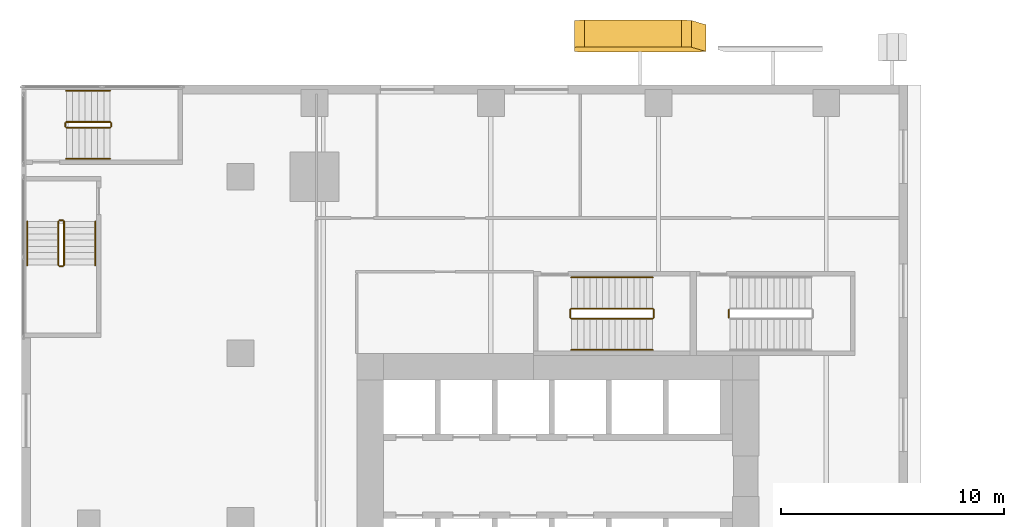
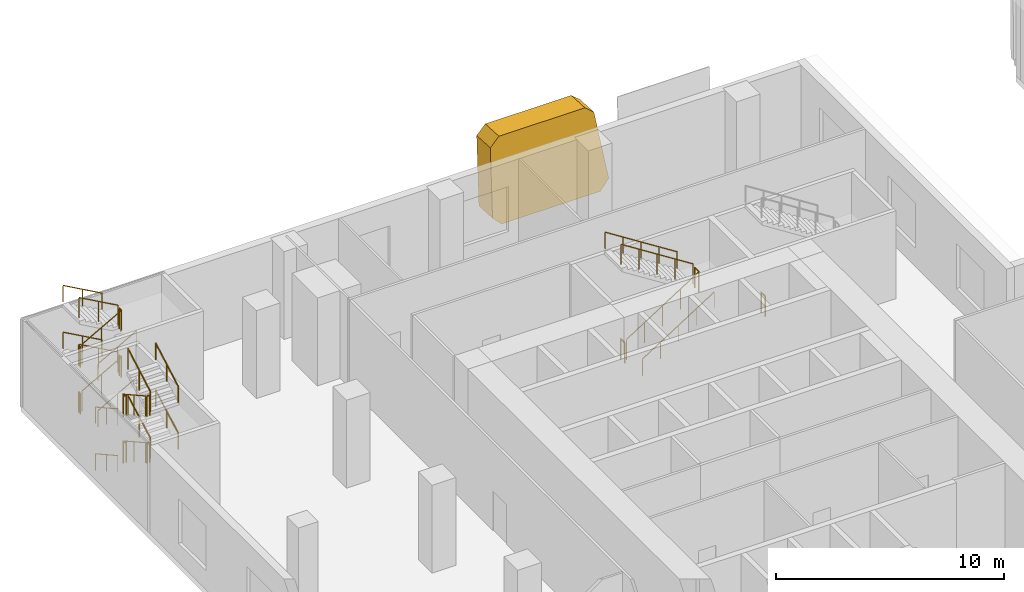
# One storey, part 19 of 23: 31 railings, 1 covering.
"""IFC4 building model written with IfcOpenShell, lengths in metres."""

from ifc_helpers import new_model, si_unit, direction, frame, origin, origin_2d, place, context, subcontext, project, spatial, polyline, circle, outline, extrude, source, transform, mapped, material, layer, layer_set, type_object, element, save


model = new_model("IFC4")

# Units and contexts
model_context = context("Model", 3, precision=1e-05, world=origin(), true_north=direction((0.0, 1.0)))
body_context = subcontext(model_context, "Body", "Model", "MODEL_VIEW")
ifc_project = project(units=[si_unit("LENGTHUNIT", "METRE"), si_unit("AREAUNIT", "SQUARE_METRE"), si_unit("VOLUMEUNIT", "CUBIC_METRE"), si_unit("PLANEANGLEUNIT", "RADIAN"), si_unit("MASSUNIT", "GRAM", prefix="KILO")], contexts=[model_context])

# Site, building, storey
site_placement = place(None, origin())
site = spatial("IfcSite", under=ifc_project, at=site_placement, CompositionType="ELEMENT")
building_placement = place(site_placement, origin())
building = spatial("IfcBuilding", under=site, at=building_placement, Name="Khomas Fold Tower", CompositionType="ELEMENT")
storey_placement = place(building_placement, frame((0.0, 0.0, 18.5)))
storey = spatial("IfcBuildingStorey", under=building, at=storey_placement, Name="L03", CompositionType="ELEMENT", Elevation=18.5)

# Covering
ifc_material_1 = material(Name="Natural stone cladding", Category="masonry")
ifc_layer = layer(ifc_material_1, 1.199951171875)
ifc_layer_set = layer_set([ifc_layer], Name="Natural stone cladding")
covering_type = type_object("IfcCoveringType", Name="SK-Karibib marble stone panel", PredefinedType="CLADDING", material=ifc_layer_set)
covering_placement = place(storey_placement, frame((15.72998046875, 55.5, 0.449951171875), z_axis=(8.223621e-06, -0.998631248992, 0.052303235751), x_axis=(5.17e-10, 0.052303235753, 0.998631249025)))
element("IfcCovering", 1, at=covering_placement, inside=storey, type_object=covering_type, Name="OUTER SKIN leaf L03 NS05-1", PredefinedType="CLADDING", context=body_context, shape_type="SweptSolid", body=[
    extrude(outline(polyline([(0.0, 0.0), (3.655161509034944, -2.117582368135751e-22), (4.105722667125442, -0.4499511705702566), (4.105722669373801, -4.798828123548203), (3.7333966569344406, -5.241943359638544), (0.07847895469037793, -5.8872070313865885), (-0.45056115504329364, -5.444091797980443), (-0.4505611576252515, -0.44995117314931427), (0.0, 0.0)])), origin(), (0.0, 0.0, -1.0), 1.199951171875),
])

# Railings
ifc_material_2 = material(Name="Steel balustrade", Category="steel")
railing_type_1 = type_object("IfcRailingType", Name="Stair guard", PredefinedType="GUARDRAIL", material=ifc_material_2)
shared_shape_1 = source(origin(), body_context, "Body", "SweptSolid", [
    extrude(circle(Radius=0.02392578125, at=origin_2d()), frame((0.0, 0.0, 1.076171875), z_axis=(0.0, 1.0, 0.0), x_axis=(-1.0, 0.0, 0.0)), (0.0, 0.0, 1.0), 0.349853515625),
    extrude(circle(Radius=0.02099609375, at=origin_2d()), origin(), (0.0, 0.0, 1.0), 1.052001953125),
    extrude(circle(Radius=0.02099609375, at=origin_2d()), frame((0.0, 0.349853515625, 0.0)), (0.0, 0.0, 1.0), 1.052001953125),
])
for number, where, name in (
    (2, (19.2900390625, 43.60009765625, 2.5), "L03 ST1 stair guard 2"),
    (3, (15.550048828125, 43.60009765625, 0.0), "L03 ST1 stair guard 4"),
    (4, (22.64990234375, 43.60009765625, 0.0), "L03 ST3 stair guard 4"),
):
    element("IfcRailing", number, at=place(storey_placement, frame(where)), inside=storey, type_object=railing_type_1, Name=name, PredefinedType="GUARDRAIL", context=body_context, shape_type="MappedRepresentation", body=[
        mapped(shared_shape_1, transform((0.0, 0.0, 0.0))),
    ])
shared_shape_2 = source(origin(), body_context, "Body", "SweptSolid", [
    extrude(circle(Radius=0.02392578125, at=origin_2d()), frame((0.0, 0.0, 1.076171875), z_axis=(0.843111507901, 0.0, 0.53773877045), x_axis=(0.0, 1.0, 0.0)), (0.0, 0.0, 1.0), 4.317138671875),
    extrude(circle(Radius=0.02099609375, at=origin_2d()), origin(), (0.0, 0.0, 1.0), 1.052001953125),
    extrude(circle(Radius=0.02099609375, at=origin_2d()), frame((0.909912109375, 0.0, 0.580322265625)), (0.0, 0.0, 1.0), 1.052001953125),
    extrude(circle(Radius=0.02099609375, at=origin_2d()), frame((1.81982421875, 0.0, 1.16064453125)), (0.0, 0.0, 1.0), 1.052001953125),
    extrude(circle(Radius=0.02099609375, at=origin_2d()), frame((2.72998046875, 0.0, 1.7412109375)), (0.0, 0.0, 1.0), 1.052001953125),
    extrude(circle(Radius=0.02099609375, at=origin_2d()), frame((3.639892578125, 0.0, 2.321533203125)), (0.0, 0.0, 1.0), 1.052001953125),
])
railing_1_placement = place(storey_placement, frame((15.60009765625, 43.550048828125, 0.178466796875)))
element("IfcRailing", 5, at=railing_1_placement, inside=storey, type_object=railing_type_1, Name="L03 ST1 stair guard 1", PredefinedType="GUARDRAIL", context=body_context, shape_type="MappedRepresentation", body=[
    mapped(shared_shape_2, transform((0.0, 0.0, 0.0))),
])
shared_shape_3 = source(origin(), body_context, "Body", "SweptSolid", [
    extrude(circle(Radius=0.02392578125, at=origin_2d()), frame((0.0, 0.0, 1.076171875), z_axis=(-0.843111507901, 0.0, 0.53773877045), x_axis=(0.0, -1.0, 0.0)), (0.0, 0.0, 1.0), 4.317138671875),
    extrude(circle(Radius=0.02099609375, at=origin_2d()), origin(), (0.0, 0.0, 1.0), 1.052001953125),
    extrude(circle(Radius=0.02099609375, at=origin_2d()), frame((-0.909912109375, 0.0, 0.580322265625)), (0.0, 0.0, 1.0), 1.052001953125),
    extrude(circle(Radius=0.02099609375, at=origin_2d()), frame((-1.81982421875, 0.0, 1.16064453125)), (0.0, 0.0, 1.0), 1.052001953125),
    extrude(circle(Radius=0.02099609375, at=origin_2d()), frame((-2.72998046875, 0.0, 1.7412109375)), (0.0, 0.0, 1.0), 1.052001953125),
    extrude(circle(Radius=0.02099609375, at=origin_2d()), frame((-3.639892578125, 0.0, 2.321533203125)), (0.0, 0.0, 1.0), 1.052001953125),
])
railing_2_placement = place(storey_placement, frame((19.239990234375, 44.0, 2.678466796875)))
element("IfcRailing", 6, at=railing_2_placement, inside=storey, type_object=railing_type_1, Name="L03 ST1 stair guard 3", PredefinedType="GUARDRAIL", context=body_context, shape_type="MappedRepresentation", body=[
    mapped(shared_shape_3, transform((0.0, 0.0, 0.0))),
])
ifc_material_3 = material(Name="Steel handrail", Category="steel")
railing_type_2 = type_object("IfcRailingType", Name="Stair handrail", PredefinedType="HANDRAIL", material=ifc_material_3)
shared_shape_4 = source(origin(), body_context, "Body", "SweptSolid", [
    extrude(circle(Radius=0.02392578125, at=origin_2d()), frame((0.0, 0.0, 0.8759765625), z_axis=(0.843111507901, 0.0, 0.53773877045), x_axis=(0.0, 1.0, 0.0)), (0.0, 0.0, 1.0), 4.317138671875),
    extrude(circle(Radius=0.02099609375, at=origin_2d()), origin(), (0.0, 0.0, 1.0), 0.851806640625),
    extrude(circle(Radius=0.02099609375, at=origin_2d()), frame((0.909912109375, 0.0, 0.580322265625)), (0.0, 0.0, 1.0), 0.851806640625),
    extrude(circle(Radius=0.02099609375, at=origin_2d()), frame((1.81982421875, 0.0, 1.16064453125)), (0.0, 0.0, 1.0), 0.851806640625),
    extrude(circle(Radius=0.02099609375, at=origin_2d()), frame((2.72998046875, 0.0, 1.7412109375)), (0.0, 0.0, 1.0), 0.851806640625),
    extrude(circle(Radius=0.02099609375, at=origin_2d()), frame((3.639892578125, 0.0, 2.321533203125)), (0.0, 0.0, 1.0), 0.851806640625),
])
railing_3_placement = place(storey_placement, frame((15.60009765625, 42.14990234375, 0.178466796875)))
element("IfcRailing", 7, at=railing_3_placement, inside=storey, type_object=railing_type_2, Name="L03 ST1 stair handrail 1", PredefinedType="HANDRAIL", context=body_context, shape_type="MappedRepresentation", body=[
    mapped(shared_shape_4, transform((0.0, 0.0, 0.0))),
])
shared_shape_5 = source(origin(), body_context, "Body", "SweptSolid", [
    extrude(circle(Radius=0.02392578125, at=origin_2d()), frame((0.0, 0.0, 0.8759765625), z_axis=(-0.843111507901, 0.0, 0.53773877045), x_axis=(0.0, -1.0, 0.0)), (0.0, 0.0, 1.0), 4.317138671875),
    extrude(circle(Radius=0.02099609375, at=origin_2d()), origin(), (0.0, 0.0, 1.0), 0.851806640625),
    extrude(circle(Radius=0.02099609375, at=origin_2d()), frame((-0.909912109375, 0.0, 0.580322265625)), (0.0, 0.0, 1.0), 0.851806640625),
    extrude(circle(Radius=0.02099609375, at=origin_2d()), frame((-1.81982421875, 0.0, 1.16064453125)), (0.0, 0.0, 1.0), 0.851806640625),
    extrude(circle(Radius=0.02099609375, at=origin_2d()), frame((-2.72998046875, 0.0, 1.7412109375)), (0.0, 0.0, 1.0), 0.851806640625),
    extrude(circle(Radius=0.02099609375, at=origin_2d()), frame((-3.639892578125, 0.0, 2.321533203125)), (0.0, 0.0, 1.0), 0.851806640625),
])
railing_4_placement = place(storey_placement, frame((19.239990234375, 45.39990234375, 2.678466796875)))
element("IfcRailing", 8, at=railing_4_placement, inside=storey, type_object=railing_type_2, Name="L03 ST1 stair handrail 2", PredefinedType="HANDRAIL", context=body_context, shape_type="MappedRepresentation", body=[
    mapped(shared_shape_5, transform((0.0, 0.0, 0.0))),
])
shared_shape_6 = source(origin(), body_context, "Body", "SweptSolid", [
    extrude(circle(Radius=0.02392578125, at=origin_2d()), frame((0.0, 0.0, 1.076171875), z_axis=(0.0, 1.0, 0.0), x_axis=(-1.0, 0.0, 0.0)), (0.0, 0.0, 1.0), 0.150146484375),
    extrude(circle(Radius=0.02099609375, at=origin_2d()), origin(), (0.0, 0.0, 1.0), 1.052001953125),
    extrude(circle(Radius=0.02099609375, at=origin_2d()), frame((0.0, 0.150146484375, 0.0)), (0.0, 0.0, 1.0), 1.052001953125),
])
for number, where, name in (
    (9, (-4.989990234375, 52.14990234375, 1.25), "L03 PS7 stair guard 2"),
    (10, (-7.050048828125, 52.14990234375, 2.5), "L03 PS7 stair guard 4"),
    (11, (-4.989990234375, 52.14990234375, 3.75), "L03 PS7 stair guard 6"),
    (12, (-7.050048828125, 52.14990234375, 0.0), "L03 PS7 stair guard 8"),
):
    element("IfcRailing", number, at=place(storey_placement, frame(where)), inside=storey, type_object=railing_type_1, Name=name, PredefinedType="GUARDRAIL", context=body_context, shape_type="MappedRepresentation", body=[
        mapped(shared_shape_6, transform((0.0, 0.0, 0.0))),
    ])
shared_shape_7 = source(origin(), body_context, "Body", "SweptSolid", [
    extrude(circle(Radius=0.02392578125, at=origin_2d()), frame((0.0, 0.0, 1.076171875), z_axis=(0.873232148454, 0.0, 0.487304437602), x_axis=(0.0, 1.0, 0.0)), (0.0, 0.0, 1.0), 2.244384765625),
    extrude(circle(Radius=0.02099609375, at=origin_2d()), origin(), (0.0, 0.0, 1.0), 1.052001953125),
    extrude(circle(Radius=0.02099609375, at=origin_2d()), frame((0.97998046875, 0.0, 0.546875)), (0.0, 0.0, 1.0), 1.052001953125),
    extrude(circle(Radius=0.02099609375, at=origin_2d()), frame((1.9599609375, 0.0, 1.09375)), (0.0, 0.0, 1.0), 1.052001953125),
])
for number, where, name in (
    (13, (-7.0, 52.10009765625, 0.15625), "L03 PS7 stair guard 1"),
    (14, (-7.0, 52.10009765625, 2.65625), "L03 PS7 stair guard 5"),
):
    element("IfcRailing", number, at=place(storey_placement, frame(where)), inside=storey, type_object=railing_type_1, Name=name, PredefinedType="GUARDRAIL", context=body_context, shape_type="MappedRepresentation", body=[
        mapped(shared_shape_7, transform((0.0, 0.0, 0.0))),
    ])
shared_shape_8 = source(origin(), body_context, "Body", "SweptSolid", [
    extrude(circle(Radius=0.02392578125, at=origin_2d()), frame((0.0, 0.0, 1.076171875), z_axis=(-0.873232148454, 0.0, 0.487304437602), x_axis=(0.0, -1.0, 0.0)), (0.0, 0.0, 1.0), 2.244384765625),
    extrude(circle(Radius=0.02099609375, at=origin_2d()), origin(), (0.0, 0.0, 1.0), 1.052001953125),
    extrude(circle(Radius=0.02099609375, at=origin_2d()), frame((-0.97998046875, 0.0, 0.546875)), (0.0, 0.0, 1.0), 1.052001953125),
    extrude(circle(Radius=0.02099609375, at=origin_2d()), frame((-1.9599609375, 0.0, 1.09375)), (0.0, 0.0, 1.0), 1.052001953125),
])
for number, where, name in (
    (15, (-5.0400390625, 52.35009765625, 1.40625), "L03 PS7 stair guard 3"),
    (16, (-5.0400390625, 52.35009765625, 3.90625), "L03 PS7 stair guard 7"),
):
    element("IfcRailing", number, at=place(storey_placement, frame(where)), inside=storey, type_object=railing_type_1, Name=name, PredefinedType="GUARDRAIL", context=body_context, shape_type="MappedRepresentation", body=[
        mapped(shared_shape_8, transform((0.0, 0.0, 0.0))),
    ])
shared_shape_9 = source(origin(), body_context, "Body", "SweptSolid", [
    extrude(circle(Radius=0.02392578125, at=origin_2d()), frame((0.0, 0.0, 0.8759765625), z_axis=(0.873232148454, 0.0, 0.487304437602), x_axis=(0.0, 1.0, 0.0)), (0.0, 0.0, 1.0), 2.244384765625),
    extrude(circle(Radius=0.02099609375, at=origin_2d()), origin(), (0.0, 0.0, 1.0), 0.851806640625),
    extrude(circle(Radius=0.02099609375, at=origin_2d()), frame((0.97998046875, 0.0, 0.546875)), (0.0, 0.0, 1.0), 0.851806640625),
    extrude(circle(Radius=0.02099609375, at=origin_2d()), frame((1.9599609375, 0.0, 1.09375)), (0.0, 0.0, 1.0), 0.851806640625),
])
for number, where, name in (
    (17, (-7.0, 50.699951171875, 0.15625), "L03 PS7 stair handrail 1"),
    (18, (-7.0, 50.699951171875, 2.65625), "L03 PS7 stair handrail 3"),
):
    element("IfcRailing", number, at=place(storey_placement, frame(where)), inside=storey, type_object=railing_type_2, Name=name, PredefinedType="HANDRAIL", context=body_context, shape_type="MappedRepresentation", body=[
        mapped(shared_shape_9, transform((0.0, 0.0, 0.0))),
    ])
shared_shape_10 = source(origin(), body_context, "Body", "SweptSolid", [
    extrude(circle(Radius=0.02392578125, at=origin_2d()), frame((0.0, 0.0, 0.8759765625), z_axis=(-0.873232148454, 0.0, 0.487304437602), x_axis=(0.0, -1.0, 0.0)), (0.0, 0.0, 1.0), 2.244384765625),
    extrude(circle(Radius=0.02099609375, at=origin_2d()), origin(), (0.0, 0.0, 1.0), 0.851806640625),
    extrude(circle(Radius=0.02099609375, at=origin_2d()), frame((-0.97998046875, 0.0, 0.546875)), (0.0, 0.0, 1.0), 0.851806640625),
    extrude(circle(Radius=0.02099609375, at=origin_2d()), frame((-1.9599609375, 0.0, 1.09375)), (0.0, 0.0, 1.0), 0.851806640625),
])
for number, where, name in (
    (19, (-5.0400390625, 53.75, 1.40625), "L03 PS7 stair handrail 2"),
    (20, (-5.0400390625, 53.75, 3.90625), "L03 PS7 stair handrail 4"),
):
    element("IfcRailing", number, at=place(storey_placement, frame(where)), inside=storey, type_object=railing_type_2, Name=name, PredefinedType="HANDRAIL", context=body_context, shape_type="MappedRepresentation", body=[
        mapped(shared_shape_10, transform((0.0, 0.0, 0.0))),
    ])
shared_shape_11 = source(origin(), body_context, "Body", "SweptSolid", [
    extrude(circle(Radius=0.02392578125, at=origin_2d()), frame((0.0, 0.0, 1.076171875), z_axis=(0.0, 0.873232148454, 0.487304437602), x_axis=(-1.0, 0.0, 0.0)), (0.0, 0.0, 1.0), 2.244384765625),
    extrude(circle(Radius=0.02099609375, at=origin_2d()), origin(), (0.0, 0.0, 1.0), 1.052001953125),
    extrude(circle(Radius=0.02099609375, at=origin_2d()), frame((0.0, 0.97998046875, 0.546875)), (0.0, 0.0, 1.0), 1.052001953125),
    extrude(circle(Radius=0.02099609375, at=origin_2d()), frame((0.0, 1.9599609375, 1.09375)), (0.0, 0.0, 1.0), 1.052001953125),
])
for number, where, name in (
    (21, (-7.10009765625, 45.93994140625, 1.40625), "L03 PS8 stair guard 3"),
    (22, (-7.10009765625, 45.93994140625, 3.90625), "L03 PS8 stair guard 7"),
):
    element("IfcRailing", number, at=place(storey_placement, frame(where)), inside=storey, type_object=railing_type_1, Name=name, PredefinedType="GUARDRAIL", context=body_context, shape_type="MappedRepresentation", body=[
        mapped(shared_shape_11, transform((0.0, 0.0, 0.0))),
    ])
shared_shape_12 = source(origin(), body_context, "Body", "SweptSolid", [
    extrude(circle(Radius=0.02392578125, at=origin_2d()), frame((0.0, 0.0, 1.076171875), z_axis=(0.0, -0.873232148454, 0.487304437602), x_axis=(1.0, 0.0, 0.0)), (0.0, 0.0, 1.0), 2.244384765625),
    extrude(circle(Radius=0.02099609375, at=origin_2d()), origin(), (0.0, 0.0, 1.0), 1.052001953125),
    extrude(circle(Radius=0.02099609375, at=origin_2d()), frame((0.0, -0.97998046875, 0.546875)), (0.0, 0.0, 1.0), 1.052001953125),
    extrude(circle(Radius=0.02099609375, at=origin_2d()), frame((0.0, -1.9599609375, 1.09375)), (0.0, 0.0, 1.0), 1.052001953125),
])
for number, where, name in (
    (23, (-7.35009765625, 47.89990234375, 0.15625), "L03 PS8 stair guard 1"),
    (24, (-7.35009765625, 47.89990234375, 2.65625), "L03 PS8 stair guard 5"),
):
    element("IfcRailing", number, at=place(storey_placement, frame(where)), inside=storey, type_object=railing_type_1, Name=name, PredefinedType="GUARDRAIL", context=body_context, shape_type="MappedRepresentation", body=[
        mapped(shared_shape_12, transform((0.0, 0.0, 0.0))),
    ])
shared_shape_13 = source(origin(), body_context, "Body", "SweptSolid", [
    extrude(circle(Radius=0.02392578125, at=origin_2d()), frame((0.0, 0.0, 0.8759765625), z_axis=(0.0, 0.873232148454, 0.487304437602), x_axis=(-1.0, 0.0, 0.0)), (0.0, 0.0, 1.0), 2.244384765625),
    extrude(circle(Radius=0.02099609375, at=origin_2d()), origin(), (0.0, 0.0, 1.0), 0.851806640625),
    extrude(circle(Radius=0.02099609375, at=origin_2d()), frame((0.0, 0.97998046875, 0.546875)), (0.0, 0.0, 1.0), 0.851806640625),
    extrude(circle(Radius=0.02099609375, at=origin_2d()), frame((0.0, 1.9599609375, 1.09375)), (0.0, 0.0, 1.0), 0.851806640625),
])
for number, where, name in (
    (25, (-5.699951171875, 45.93994140625, 1.40625), "L03 PS8 stair handrail 2"),
    (26, (-5.699951171875, 45.93994140625, 3.90625), "L03 PS8 stair handrail 4"),
):
    element("IfcRailing", number, at=place(storey_placement, frame(where)), inside=storey, type_object=railing_type_2, Name=name, PredefinedType="HANDRAIL", context=body_context, shape_type="MappedRepresentation", body=[
        mapped(shared_shape_13, transform((0.0, 0.0, 0.0))),
    ])
shared_shape_14 = source(origin(), body_context, "Body", "SweptSolid", [
    extrude(circle(Radius=0.02392578125, at=origin_2d()), frame((0.0, 0.0, 0.8759765625), z_axis=(0.0, -0.873232148454, 0.487304437602), x_axis=(1.0, 0.0, 0.0)), (0.0, 0.0, 1.0), 2.244384765625),
    extrude(circle(Radius=0.02099609375, at=origin_2d()), origin(), (0.0, 0.0, 1.0), 0.851806640625),
    extrude(circle(Radius=0.02099609375, at=origin_2d()), frame((0.0, -0.97998046875, 0.546875)), (0.0, 0.0, 1.0), 0.851806640625),
    extrude(circle(Radius=0.02099609375, at=origin_2d()), frame((0.0, -1.9599609375, 1.09375)), (0.0, 0.0, 1.0), 0.851806640625),
])
for number, where, name in (
    (27, (-8.75, 47.89990234375, 0.15625), "L03 PS8 stair handrail 1"),
    (28, (-8.75, 47.89990234375, 2.65625), "L03 PS8 stair handrail 3"),
):
    element("IfcRailing", number, at=place(storey_placement, frame(where)), inside=storey, type_object=railing_type_2, Name=name, PredefinedType="HANDRAIL", context=body_context, shape_type="MappedRepresentation", body=[
        mapped(shared_shape_14, transform((0.0, 0.0, 0.0))),
    ])
shared_shape_15 = source(origin(), body_context, "Body", "SweptSolid", [
    extrude(circle(Radius=0.02392578125, at=origin_2d()), frame((0.0, 0.0, 1.076171875), z_axis=(1.0, 0.0, 0.0), x_axis=(0.0, 1.0, 0.0)), (0.0, 0.0, 1.0), 0.150146484375),
    extrude(circle(Radius=0.02099609375, at=origin_2d()), origin(), (0.0, 0.0, 1.0), 1.052001953125),
    extrude(circle(Radius=0.02099609375, at=origin_2d()), frame((0.150146484375, 0.0, 0.0)), (0.0, 0.0, 1.0), 1.052001953125),
])
for number, where, name in (
    (29, (-7.300048828125, 45.889892578125, 1.25), "L03 PS8 stair guard 2"),
    (30, (-7.300048828125, 47.949951171875, 2.5), "L03 PS8 stair guard 4"),
    (31, (-7.300048828125, 45.889892578125, 3.75), "L03 PS8 stair guard 6"),
    (32, (-7.300048828125, 47.949951171875, 0.0), "L03 PS8 stair guard 8"),
):
    element("IfcRailing", number, at=place(storey_placement, frame(where)), inside=storey, type_object=railing_type_1, Name=name, PredefinedType="GUARDRAIL", context=body_context, shape_type="MappedRepresentation", body=[
        mapped(shared_shape_15, transform((0.0, 0.0, 0.0))),
    ])

save(model, "model.ifc")
